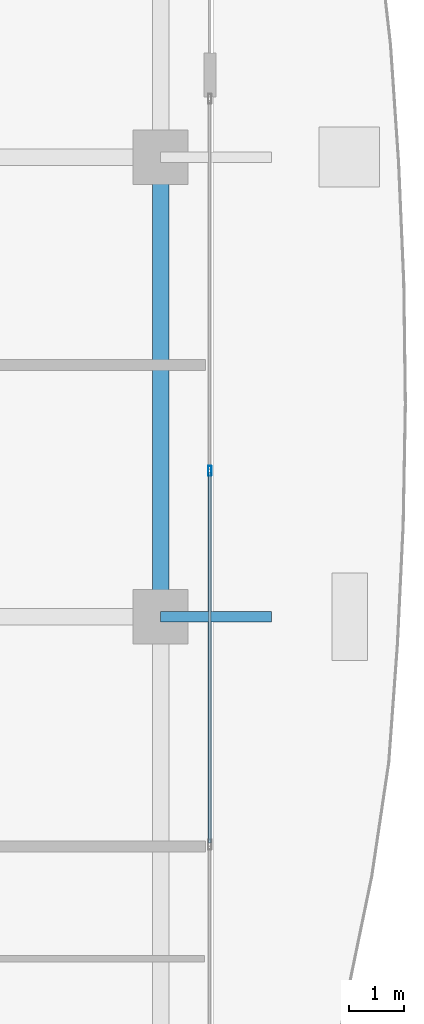
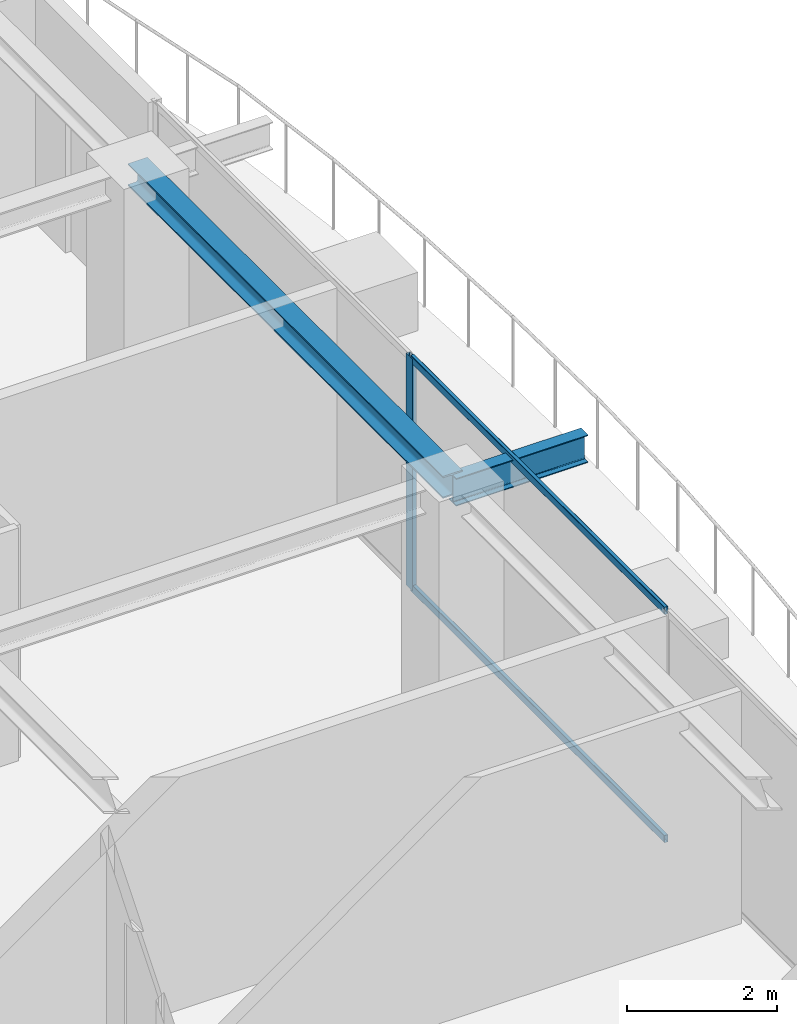
# One storey, part 16 of 39: 3 members, 2 beams, 1 element without a shape of its own.
"""IFC4 building model written with IfcOpenShell, lengths in metres."""

from ifc_helpers import new_model, si_unit, direction, frame, origin, origin_2d, place, context, subcontext, project, spatial, hollow_rectangle, i_section, extrude, source, transform, mapped, material, layer, layer_set, material_profile, profile_set, type_object, element, aggregate, save


model = new_model("IFC4")

# Units and contexts
model_context = context("Model", 3, precision=1e-05, world=origin(), true_north=direction((0.0, 1.0)))
body_context = subcontext(model_context, "Body", "Model", "MODEL_VIEW")
ifc_project = project(units=[si_unit("LENGTHUNIT", "METRE"), si_unit("AREAUNIT", "SQUARE_METRE"), si_unit("VOLUMEUNIT", "CUBIC_METRE"), si_unit("PLANEANGLEUNIT", "RADIAN"), si_unit("MASSUNIT", "GRAM", prefix="KILO")], contexts=[model_context])

# Site, building, storey
site_placement = place(None, origin())
site = spatial("IfcSite", under=ifc_project, at=site_placement, CompositionType="ELEMENT")
building_placement = place(site_placement, origin())
building = spatial("IfcBuilding", under=site, at=building_placement, Name="Serunith Strait Residences", CompositionType="ELEMENT")
storey_placement = place(building_placement, frame((0.0, 0.0, 329.89990234375)))
storey = spatial("IfcBuildingStorey", under=building, at=storey_placement, Name="L82", CompositionType="ELEMENT", Elevation=329.89990234375)

# Beams
ifc_material_1 = material(Name="Steel S355J2", Category="steel")
ifc_material_profile_1 = material_profile(ifc_material_1, i_section(OverallWidth=0.300048828125, OverallDepth=0.360107421875, WebThickness=0.012451171875, FlangeThickness=0.0224609375, FilletRadius=0.027099609375, at=origin_2d()), Name="HEB 360")
ifc_profile_set_1 = profile_set([ifc_material_profile_1], Name="Steel S355J2")
beam_type_1 = type_object("IfcBeamType", Name="BM-HEB360", PredefinedType="BEAM", material=ifc_profile_set_1)
shared_shape_1 = source(origin(), body_context, "Body", "SweptSolid", [
    extrude(i_section(OverallWidth=0.300048828125, OverallDepth=0.360107421875, WebThickness=0.012451171875, FlangeThickness=0.0224609375, FilletRadius=0.027099609375, at=origin_2d()), origin(), (0.0, 0.0, 1.0), 8.39990234375),
])
beam_1_placement = place(storey_placement, frame((54.699951171875, 21.0, 3.607177734375), z_axis=(0.0, 1.0, 0.0), x_axis=(-1.0, 0.0, 0.0)))
element("IfcBeam", 1, at=beam_1_placement, inside=storey, type_object=beam_type_1, Name="L82 Perimeter Ring Beam 06", PredefinedType="BEAM", context=body_context, shape_type="MappedRepresentation", body=[
    mapped(shared_shape_1, transform((0.0, 0.0, 0.0), scale=1.0)),
])
ifc_material_profile_2 = material_profile(ifc_material_1, i_section(OverallWidth=0.18994140625, OverallDepth=0.449951171875, WebThickness=0.009521484375, FlangeThickness=0.0146484375, FilletRadius=0.02099609375, at=origin_2d()), Name="IPE 450")
ifc_profile_set_2 = profile_set([ifc_material_profile_2], Name="Steel S355J2")
beam_type_2 = type_object("IfcBeamType", Name="BM-IPE450", PredefinedType="JOIST", material=ifc_profile_set_2)
shared_shape_2 = source(origin(), body_context, "Body", "SweptSolid", [
    extrude(i_section(OverallWidth=0.18994140625, OverallDepth=0.449951171875, WebThickness=0.009521484375, FlangeThickness=0.0146484375, FilletRadius=0.02099609375, at=origin_2d()), origin(), (0.0, 0.0, 1.0), 2.030029296875),
])
beam_2_placement = place(storey_placement, frame((54.699951171875, 21.0, 3.531982421875), z_axis=(1.0, 0.0, 0.0), x_axis=(0.0, 1.0, 0.0)))
element("IfcBeam", 2, at=beam_2_placement, inside=storey, type_object=beam_type_2, Name="L83 Cantilevered Balcony Rib TC-E2", PredefinedType="JOIST", context=body_context, shape_type="MappedRepresentation", body=[
    mapped(shared_shape_2, transform((0.0, 0.0, 0.0), scale=1.0)),
])

# Curtain wall, members
ifc_material_2 = material(Name="Brushed Stainless-Silver Aluminium", Category="aluminium")
ifc_layer = layer(ifc_material_2, 0.199951171875, Name="Brushed Stainless-Silver Aluminium")
ifc_layer_set = layer_set([ifc_layer], Name="Brushed Stainless-Silver Aluminium")
curtain_wall_type = type_object("IfcCurtainWallType", Name="CW-SYS5", PredefinedType="NOTDEFINED", material=ifc_layer_set)
curtain_wall_placement = place(storey_placement, origin())
curtain_wall = element("IfcCurtainWall", 3, at=curtain_wall_placement, inside=storey, type_object=curtain_wall_type, Name="L82 E Unitised Fritted Curtain Wall", PredefinedType="NOTDEFINED")
ifc_material_profile_3 = material_profile(ifc_material_2, hollow_rectangle(XDim=0.06494140625, YDim=0.179931640625, WallThickness=0.00341796875, InnerFilletRadius=0.00537109375, OuterFilletRadius=0.0087890625, at=origin_2d()), Name="ALU 180x65x3.5")
ifc_profile_set_3 = profile_set([ifc_material_profile_3], Name="Brushed Stainless-Silver Aluminium")
member_type_1 = type_object("IfcMemberType", Name="CW-SYS5-MULL", PredefinedType="MULLION", material=ifc_profile_set_3)
shared_shape_3 = source(origin(), body_context, "Body", "SweptSolid", [
    extrude(hollow_rectangle(XDim=0.06494140625, YDim=0.179931640625, WallThickness=0.00341796875, InnerFilletRadius=0.00537109375, OuterFilletRadius=0.0087890625, at=origin_2d()), origin(), (0.0, 0.0, 1.0), 3.775146484375),
])
member_1_placement = place(storey_placement, frame((55.60009765625, 23.666748046875, 0.0), z_axis=(0.0, 0.0, 1.0), x_axis=(-1.0, 0.0, 0.0)))
member_1 = element("IfcMember", 4, at=member_1_placement, type_object=member_type_1, Name="CW-5 mullion 3", PredefinedType="MULLION", context=body_context, shape_type="MappedRepresentation", body=[
    mapped(shared_shape_3, transform((0.0, 0.0, 0.0), scale=1.0)),
])
ifc_material_profile_4 = material_profile(ifc_material_2, hollow_rectangle(XDim=0.06005859375, YDim=0.1201171875, WallThickness=0.00341796875, InnerFilletRadius=0.00537109375, OuterFilletRadius=0.0087890625, at=origin_2d()), Name="ALU 120x60x3.5")
ifc_profile_set_4 = profile_set([ifc_material_profile_4], Name="Brushed Stainless-Silver Aluminium")
member_type_2 = type_object("IfcMemberType", Name="CW-SYS5-TRAN", PredefinedType="USERDEFINED", material=ifc_profile_set_4)
shared_shape_4 = source(origin(), body_context, "Body", "SweptSolid", [
    extrude(hollow_rectangle(XDim=0.06005859375, YDim=0.1201171875, WallThickness=0.00341796875, InnerFilletRadius=0.00537109375, OuterFilletRadius=0.0087890625, at=origin_2d()), origin(), (0.0, 0.0, 1.0), 6.7685546875),
])
member_2_placement = place(storey_placement, frame((55.60009765625, 16.86572265625, 0.030029296875), z_axis=(0.0, 1.0, 0.0), x_axis=(-1.0, 0.0, 0.0)))
member_2 = element("IfcMember", 5, at=member_2_placement, type_object=member_type_2, Name="CW-5 transom 2.1", ObjectType="TRANSOM", PredefinedType="USERDEFINED", context=body_context, shape_type="MappedRepresentation", body=[
    mapped(shared_shape_4, transform((0.0, 0.0, 0.0), scale=1.0)),
])
member_3_placement = place(storey_placement, frame((55.60009765625, 16.86572265625, 3.7451171875), z_axis=(0.0, 1.0, 0.0), x_axis=(-1.0, 0.0, 0.0)))
member_3 = element("IfcMember", 6, at=member_3_placement, type_object=member_type_2, Name="CW-5 transom 2.2", ObjectType="TRANSOM", PredefinedType="USERDEFINED", context=body_context, shape_type="MappedRepresentation", body=[
    mapped(shared_shape_4, transform((0.0, 0.0, 0.0), scale=1.0)),
])
aggregate(curtain_wall, [member_1, member_2, member_3])

save(model, "model.ifc")
